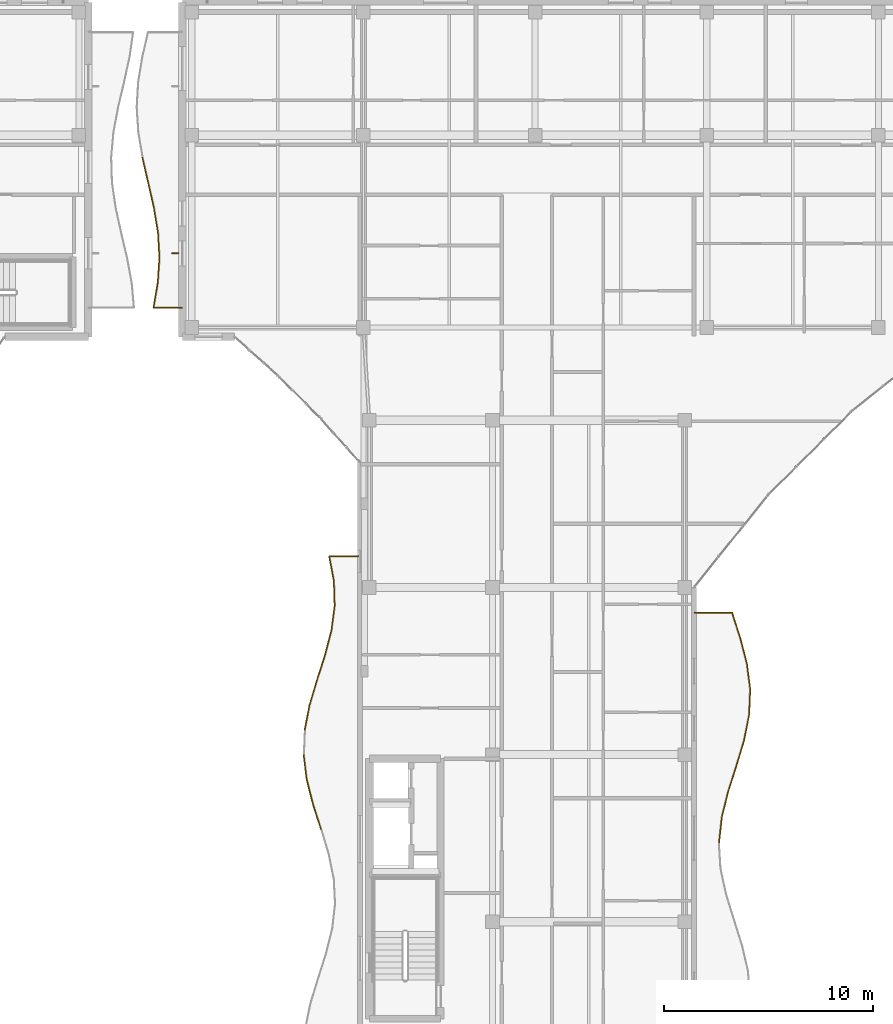
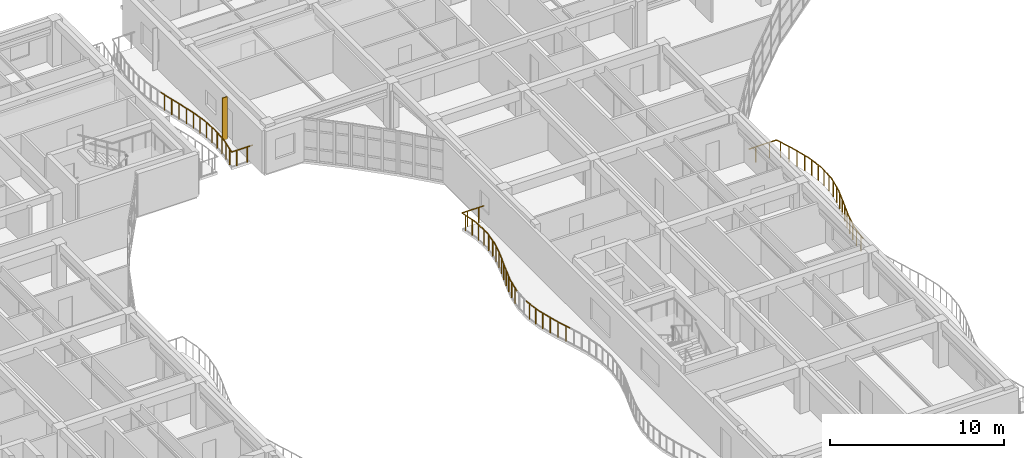
# One storey, part 74 of 89: 28 railings, 1 shading device.
"""IFC4 building model written with IfcOpenShell, lengths in metres."""

from ifc_helpers import new_model, si_unit, direction, frame, origin, origin_2d, place, context, subcontext, project, spatial, rectangle, circle, extrude, material, layer, layer_set, type_object, element, save


model = new_model("IFC4")

# Units and contexts
model_context = context("Model", 3, precision=1e-05, world=origin(), true_north=direction((0.0, 1.0)))
body_context = subcontext(model_context, "Body", "Model", "MODEL_VIEW")
ifc_project = project(units=[si_unit("LENGTHUNIT", "METRE"), si_unit("AREAUNIT", "SQUARE_METRE"), si_unit("VOLUMEUNIT", "CUBIC_METRE"), si_unit("PLANEANGLEUNIT", "RADIAN"), si_unit("MASSUNIT", "GRAM", prefix="KILO")], contexts=[model_context])

# Site, building, storey
site_placement = place(None, origin())
site = spatial("IfcSite", under=ifc_project, at=site_placement, CompositionType="ELEMENT")
building_placement = place(site_placement, origin())
building = spatial("IfcBuilding", under=site, at=building_placement, Name="Keldmere Railside Commons", CompositionType="ELEMENT")
storey_placement = place(building_placement, frame((0.0, 0.0, 7.360107421875)))
storey = spatial("IfcBuildingStorey", under=building, at=storey_placement, Name="L02", CompositionType="ELEMENT", Elevation=7.360107421875)

# Railings
ifc_material = material(Name="Steel F-24 (S235)", Category="steel")
railing_type = type_object("IfcRailingType", Name="Balcony & Terrace Steel Balustrade 1100", PredefinedType="BALUSTRADE", material=ifc_material)
railing_1_placement = place(storey_placement, frame((65.201904296875, 75.77490234375, 0.0)))
element("IfcRailing", 1, at=railing_1_placement, inside=storey, type_object=railing_type, Name="GR-1 GRD-L02-0970", PredefinedType="BALUSTRADE", context=body_context, shape_type="SweptSolid", body=[
    extrude(circle(Radius=0.02392578125, at=origin_2d()), frame((0.0, 0.0, 1.076171875), z_axis=(0.106994852579, 0.994259574518, 0.0), x_axis=(-0.994259574518, 0.106994852579, 0.0)), (0.0, 0.0, 1.0), 1.232177734375),
    extrude(circle(Radius=0.02099609375, at=origin_2d()), frame((0.032958984375, 0.30615234375, 0.0)), (0.0, 0.0, 1.0), 1.048095703125),
    extrude(circle(Radius=0.02099609375, at=origin_2d()), frame((0.098876953125, 0.9189453125, 0.0)), (0.0, 0.0, 1.0), 1.048095703125),
])
railing_2_placement = place(storey_placement, frame((65.333740234375, 77.0, 0.0)))
element("IfcRailing", 2, at=railing_2_placement, inside=storey, type_object=railing_type, Name="GR-1 GRD-L02-0971", PredefinedType="BALUSTRADE", context=body_context, shape_type="SweptSolid", body=[
    extrude(circle(Radius=0.02392578125, at=origin_2d()), frame((0.0, 0.0, 1.076171875), z_axis=(0.240623636794, 0.970618496329, 0.0), x_axis=(-0.970618496329, 0.240623636794, 0.0)), (0.0, 0.0, 1.0), 1.26220703125),
    extrude(circle(Radius=0.02099609375, at=origin_2d()), frame((0.075927734375, 0.30615234375, 0.0)), (0.0, 0.0, 1.0), 1.048095703125),
    extrude(circle(Radius=0.02099609375, at=origin_2d()), frame((0.227783203125, 0.9189453125, 0.0)), (0.0, 0.0, 1.0), 1.048095703125),
])
railing_3_placement = place(storey_placement, frame((65.637451171875, 78.22509765625, 0.0)))
element("IfcRailing", 3, at=railing_3_placement, inside=storey, type_object=railing_type, Name="GR-1 GRD-L02-0972", PredefinedType="BALUSTRADE", context=body_context, shape_type="SweptSolid", body=[
    extrude(circle(Radius=0.02392578125, at=origin_2d()), frame((0.0, 0.0, 1.076171875), z_axis=(0.304010840073, 0.952668572547, 0.0), x_axis=(-0.952668572547, 0.304010840073, 0.0)), (0.0, 0.0, 1.0), 1.28564453125),
    extrude(circle(Radius=0.02099609375, at=origin_2d()), frame((0.09765625, 0.30615234375, 0.0)), (0.0, 0.0, 1.0), 1.048095703125),
    extrude(circle(Radius=0.02099609375, at=origin_2d()), frame((0.293212890625, 0.918701171875, 0.0)), (0.0, 0.0, 1.0), 1.048095703125),
])
railing_4_placement = place(storey_placement, frame((66.0283203125, 79.449951171875, 0.0)))
element("IfcRailing", 4, at=railing_4_placement, inside=storey, type_object=railing_type, Name="GR-1 GRD-L02-0973", PredefinedType="BALUSTRADE", context=body_context, shape_type="SweptSolid", body=[
    extrude(circle(Radius=0.02392578125, at=origin_2d()), frame((0.0, 0.0, 1.076171875), z_axis=(0.28850303307, 0.957478981445, 0.0), x_axis=(-0.957478981445, 0.28850303307, 0.0)), (0.0, 0.0, 1.0), 1.279541015625),
    extrude(circle(Radius=0.02099609375, at=origin_2d()), frame((0.09228515625, 0.30615234375, 0.0)), (0.0, 0.0, 1.0), 1.048095703125),
    extrude(circle(Radius=0.02099609375, at=origin_2d()), frame((0.27685546875, 0.9189453125, 0.0)), (0.0, 0.0, 1.0), 1.048095703125),
])
railing_5_placement = place(storey_placement, frame((66.3974609375, 80.675048828125, 0.0)))
element("IfcRailing", 5, at=railing_5_placement, inside=storey, type_object=railing_type, Name="GR-1 GRD-L02-0974", PredefinedType="BALUSTRADE", context=body_context, shape_type="SweptSolid", body=[
    extrude(circle(Radius=0.02392578125, at=origin_2d()), frame((0.0, 0.0, 1.076171875), z_axis=(0.195477033956, 0.980708279355, 0.0), x_axis=(-0.980708279355, 0.195477033956, 0.0)), (0.0, 0.0, 1.0), 1.2490234375),
    extrude(circle(Radius=0.02099609375, at=origin_2d()), frame((0.06103515625, 0.30615234375, 0.0)), (0.0, 0.0, 1.0), 1.048095703125),
    extrude(circle(Radius=0.02099609375, at=origin_2d()), frame((0.18310546875, 0.918701171875, 0.0)), (0.0, 0.0, 1.0), 1.048095703125),
])
railing_6_placement = place(storey_placement, frame((66.6416015625, 81.89990234375, 0.0)))
element("IfcRailing", 6, at=railing_6_placement, inside=storey, type_object=railing_type, Name="GR-1 GRD-L02-0975", PredefinedType="BALUSTRADE", context=body_context, shape_type="SweptSolid", body=[
    extrude(circle(Radius=0.02392578125, at=origin_2d()), frame((0.0, 0.0, 1.076171875), z_axis=(0.041812743646, 0.999125464829, 0.0), x_axis=(-0.999125464829, 0.041812743646, 0.0)), (0.0, 0.0, 1.0), 1.22607421875),
    extrude(circle(Radius=0.02099609375, at=origin_2d()), frame((0.0126953125, 0.30615234375, 0.0)), (0.0, 0.0, 1.0), 1.048095703125),
    extrude(circle(Radius=0.02099609375, at=origin_2d()), frame((0.03857421875, 0.9189453125, 0.0)), (0.0, 0.0, 1.0), 1.048095703125),
])
railing_7_placement = place(storey_placement, frame((66.69287109375, 83.125, 0.0)))
element("IfcRailing", 7, at=railing_7_placement, inside=storey, type_object=railing_type, Name="GR-1 GRD-L02-0976", PredefinedType="BALUSTRADE", context=body_context, shape_type="SweptSolid", body=[
    extrude(circle(Radius=0.02392578125, at=origin_2d()), frame((0.0, 0.0, 1.076171875), z_axis=(-0.126321482403, 0.991989356336, 0.0), x_axis=(-0.991989356336, -0.126321482403, 0.0)), (0.0, 0.0, 1.0), 1.235107421875),
    extrude(circle(Radius=0.02099609375, at=origin_2d()), frame((-0.0390625, 0.30615234375, 0.0)), (0.0, 0.0, 1.0), 1.048095703125),
    extrude(circle(Radius=0.02099609375, at=origin_2d()), frame((-0.116943359375, 0.9189453125, 0.0)), (0.0, 0.0, 1.0), 1.048095703125),
])
railing_8_placement = place(storey_placement, frame((66.536865234375, 84.35009765625, 0.0)))
element("IfcRailing", 8, at=railing_8_placement, inside=storey, type_object=railing_type, Name="GR-1 GRD-L02-0977", PredefinedType="BALUSTRADE", context=body_context, shape_type="SweptSolid", body=[
    extrude(circle(Radius=0.02392578125, at=origin_2d()), frame((0.0, 0.0, 1.076171875), z_axis=(-0.252461152782, 0.967607030946, 0.0), x_axis=(-0.967607030946, -0.252461152782, 0.0)), (0.0, 0.0, 1.0), 1.265869140625),
    extrude(circle(Radius=0.02099609375, at=origin_2d()), frame((-0.079833984375, 0.30615234375, 0.0)), (0.0, 0.0, 1.0), 1.048095703125),
    extrude(circle(Radius=0.02099609375, at=origin_2d()), frame((-0.23974609375, 0.918701171875, 0.0)), (0.0, 0.0, 1.0), 1.048095703125),
])
railing_9_placement = place(storey_placement, frame((66.21728515625, 85.574951171875, 0.0)))
element("IfcRailing", 9, at=railing_9_placement, inside=storey, type_object=railing_type, Name="GR-1 GRD-L02-0978", PredefinedType="BALUSTRADE", context=body_context, shape_type="SweptSolid", body=[
    extrude(circle(Radius=0.02392578125, at=origin_2d()), frame((0.0, 0.0, 1.076171875), z_axis=(-0.306365312308, 0.951914016818, 0.0), x_axis=(-0.951914016818, -0.306365312308, 0.0)), (0.0, 0.0, 1.0), 1.286865234375),
    extrude(circle(Radius=0.02099609375, at=origin_2d()), frame((-0.0986328125, 0.30615234375, 0.0)), (0.0, 0.0, 1.0), 1.048095703125),
    extrude(circle(Radius=0.02099609375, at=origin_2d()), frame((-0.295654296875, 0.9189453125, 0.0)), (0.0, 0.0, 1.0), 1.048095703125),
])
railing_10_placement = place(storey_placement, frame((65.822998046875, 86.800048828125, 0.0)))
element("IfcRailing", 10, at=railing_10_placement, inside=storey, type_object=railing_type, Name="GR-1 GRD-L02-0979", PredefinedType="BALUSTRADE", context=body_context, shape_type="SweptSolid", body=[
    extrude(circle(Radius=0.02392578125, at=origin_2d()), frame((0.0, 0.0, 1.076171875), z_axis=(-1.0, 0.0, 0.0), x_axis=(0.0, -1.0, 0.0)), (0.0, 0.0, 1.0), 1.822998046875),
    extrude(circle(Radius=0.02099609375, at=origin_2d()), frame((-0.455810546875, 0.0, 0.0)), (0.0, 0.0, 1.0), 1.048095703125),
    extrude(circle(Radius=0.02099609375, at=origin_2d()), frame((-1.3671875, 0.0, 0.0)), (0.0, 0.0, 1.0), 1.048095703125),
])
railing_11_placement = place(storey_placement, frame((46.13720703125, 76.422119140625, 0.0)))
element("IfcRailing", 11, at=railing_11_placement, inside=storey, type_object=railing_type, Name="GR-1 GRD-L02-0997", PredefinedType="BALUSTRADE", context=body_context, shape_type="SweptSolid", body=[
    extrude(circle(Radius=0.02392578125, at=origin_2d()), frame((0.0, 0.0, 1.076171875), z_axis=(-0.305059532123, 0.952333282974, 0.0), x_axis=(-0.952333282974, -0.305059532123, 0.0)), (0.0, 0.0, 1.0), 1.24853515625),
    extrude(circle(Radius=0.02099609375, at=origin_2d()), frame((-0.09521484375, 0.29736328125, 0.0)), (0.0, 0.0, 1.0), 1.048095703125),
    extrude(circle(Radius=0.02099609375, at=origin_2d()), frame((-0.28564453125, 0.8916015625, 0.0)), (0.0, 0.0, 1.0), 1.048095703125),
])
railing_12_placement = place(storey_placement, frame((45.75634765625, 77.611083984375, 0.0)))
element("IfcRailing", 12, at=railing_12_placement, inside=storey, type_object=railing_type, Name="GR-1 GRD-L02-0998", PredefinedType="BALUSTRADE", context=body_context, shape_type="SweptSolid", body=[
    extrude(circle(Radius=0.02392578125, at=origin_2d()), frame((0.0, 0.0, 1.076171875), z_axis=(-0.247307735969, 0.96893698646, 0.0), x_axis=(-0.96893698646, -0.247307735969, 0.0)), (0.0, 0.0, 1.0), 1.22705078125),
    extrude(circle(Radius=0.02099609375, at=origin_2d()), frame((-0.075927734375, 0.29736328125, 0.0)), (0.0, 0.0, 1.0), 1.048095703125),
    extrude(circle(Radius=0.02099609375, at=origin_2d()), frame((-0.2275390625, 0.8916015625, 0.0)), (0.0, 0.0, 1.0), 1.048095703125),
])
railing_13_placement = place(storey_placement, frame((45.452880859375, 78.800048828125, 0.0)))
element("IfcRailing", 13, at=railing_13_placement, inside=storey, type_object=railing_type, Name="GR-1 GRD-L02-0999", PredefinedType="BALUSTRADE", context=body_context, shape_type="SweptSolid", body=[
    extrude(circle(Radius=0.02392578125, at=origin_2d()), frame((0.0, 0.0, 1.076171875), z_axis=(-0.122278743077, 0.992495797972, 0.0), x_axis=(-0.992495797972, -0.122278743077, 0.0)), (0.0, 0.0, 1.0), 1.197998046875),
    extrude(circle(Radius=0.02099609375, at=origin_2d()), frame((-0.03662109375, 0.29736328125, 0.0)), (0.0, 0.0, 1.0), 1.048095703125),
    extrude(circle(Radius=0.02099609375, at=origin_2d()), frame((-0.10986328125, 0.8916015625, 0.0)), (0.0, 0.0, 1.0), 1.048095703125),
])
railing_14_placement = place(storey_placement, frame((45.355712890625, 81.177734375, 0.0)))
element("IfcRailing", 14, at=railing_14_placement, inside=storey, type_object=railing_type, Name="GR-1 GRD-L02-1001", PredefinedType="BALUSTRADE", context=body_context, shape_type="SweptSolid", body=[
    extrude(circle(Radius=0.02392578125, at=origin_2d()), frame((0.0, 0.0, 1.076171875), z_axis=(0.191463005957, 0.98149983054, 0.0), x_axis=(-0.98149983054, 0.191463005957, 0.0)), (0.0, 0.0, 1.0), 1.21142578125),
    extrude(circle(Radius=0.02099609375, at=origin_2d()), frame((0.05810546875, 0.29736328125, 0.0)), (0.0, 0.0, 1.0), 1.048095703125),
    extrude(circle(Radius=0.02099609375, at=origin_2d()), frame((0.173828125, 0.8916015625, 0.0)), (0.0, 0.0, 1.0), 1.048095703125),
])
railing_15_placement = place(storey_placement, frame((45.587646484375, 82.36669921875, 0.0)))
element("IfcRailing", 15, at=railing_15_placement, inside=storey, type_object=railing_type, Name="GR-1 GRD-L02-1002", PredefinedType="BALUSTRADE", context=body_context, shape_type="SweptSolid", body=[
    extrude(circle(Radius=0.02392578125, at=origin_2d()), frame((0.0, 0.0, 1.076171875), z_axis=(0.285180414053, 0.958473855376, 0.0), x_axis=(-0.958473855376, 0.285180414053, 0.0)), (0.0, 0.0, 1.0), 1.240478515625),
    extrude(circle(Radius=0.02099609375, at=origin_2d()), frame((0.08837890625, 0.29736328125, 0.0)), (0.0, 0.0, 1.0), 1.048095703125),
    extrude(circle(Radius=0.02099609375, at=origin_2d()), frame((0.265380859375, 0.8916015625, 0.0)), (0.0, 0.0, 1.0), 1.048095703125),
])
railing_16_placement = place(storey_placement, frame((45.94140625, 83.5556640625, 0.0)))
element("IfcRailing", 16, at=railing_16_placement, inside=storey, type_object=railing_type, Name="GR-1 GRD-L02-1003", PredefinedType="BALUSTRADE", context=body_context, shape_type="SweptSolid", body=[
    extrude(circle(Radius=0.02392578125, at=origin_2d()), frame((0.0, 0.0, 1.076171875), z_axis=(0.306002851145, 0.95203059567, 0.0), x_axis=(-0.95203059567, 0.306002851145, 0.0)), (0.0, 0.0, 1.0), 1.24853515625),
    extrude(circle(Radius=0.02099609375, at=origin_2d()), frame((0.095458984375, 0.297119140625, 0.0)), (0.0, 0.0, 1.0), 1.048095703125),
    extrude(circle(Radius=0.02099609375, at=origin_2d()), frame((0.28662109375, 0.8916015625, 0.0)), (0.0, 0.0, 1.0), 1.048095703125),
])
railing_17_placement = place(storey_placement, frame((46.323486328125, 84.744384765625, 0.0)))
element("IfcRailing", 17, at=railing_17_placement, inside=storey, type_object=railing_type, Name="GR-1 GRD-L02-1004", PredefinedType="BALUSTRADE", context=body_context, shape_type="SweptSolid", body=[
    extrude(circle(Radius=0.02392578125, at=origin_2d()), frame((0.0, 0.0, 1.076171875), z_axis=(0.252527039798, 0.967589837778, 0.0), x_axis=(-0.967589837778, 0.252527039798, 0.0)), (0.0, 0.0, 1.0), 1.228759765625),
    extrude(circle(Radius=0.02099609375, at=origin_2d()), frame((0.07763671875, 0.29736328125, 0.0)), (0.0, 0.0, 1.0), 1.048095703125),
    extrude(circle(Radius=0.02099609375, at=origin_2d()), frame((0.232666015625, 0.8916015625, 0.0)), (0.0, 0.0, 1.0), 1.048095703125),
])
railing_18_placement = place(storey_placement, frame((46.6337890625, 85.933349609375, 0.0)))
element("IfcRailing", 18, at=railing_18_placement, inside=storey, type_object=railing_type, Name="GR-1 GRD-L02-1005", PredefinedType="BALUSTRADE", context=body_context, shape_type="SweptSolid", body=[
    extrude(circle(Radius=0.02392578125, at=origin_2d()), frame((0.0, 0.0, 1.076171875), z_axis=(0.130496642612, 0.991448751205, 0.0), x_axis=(-0.991448751205, 0.130496642612, 0.0)), (0.0, 0.0, 1.0), 1.19921875),
    extrude(circle(Radius=0.02099609375, at=origin_2d()), frame((0.0390625, 0.29736328125, 0.0)), (0.0, 0.0, 1.0), 1.048095703125),
    extrude(circle(Radius=0.02099609375, at=origin_2d()), frame((0.117431640625, 0.8916015625, 0.0)), (0.0, 0.0, 1.0), 1.048095703125),
])
railing_19_placement = place(storey_placement, frame((46.790283203125, 87.122314453125, 0.0)))
element("IfcRailing", 19, at=railing_19_placement, inside=storey, type_object=railing_type, Name="GR-1 GRD-L02-1006", PredefinedType="BALUSTRADE", context=body_context, shape_type="SweptSolid", body=[
    extrude(circle(Radius=0.02392578125, at=origin_2d()), frame((0.0, 0.0, 1.076171875), z_axis=(-0.032023001154, 0.999487132182, 0.0), x_axis=(-0.999487132182, -0.032023001154, 0.0)), (0.0, 0.0, 1.0), 1.189208984375),
    extrude(circle(Radius=0.02099609375, at=origin_2d()), frame((-0.009521484375, 0.297119140625, 0.0)), (0.0, 0.0, 1.0), 1.048095703125),
    extrude(circle(Radius=0.02099609375, at=origin_2d()), frame((-0.028564453125, 0.8916015625, 0.0)), (0.0, 0.0, 1.0), 1.048095703125),
])
railing_20_placement = place(storey_placement, frame((46.752197265625, 88.31103515625, 0.0)))
element("IfcRailing", 20, at=railing_20_placement, inside=storey, type_object=railing_type, Name="GR-1 GRD-L02-1007", PredefinedType="BALUSTRADE", context=body_context, shape_type="SweptSolid", body=[
    extrude(circle(Radius=0.02392578125, at=origin_2d()), frame((0.0, 0.0, 1.076171875), z_axis=(-0.184264163945, 0.982876756204, 0.0), x_axis=(-0.982876756204, -0.184264163945, 0.0)), (0.0, 0.0, 1.0), 1.209716796875),
    extrude(circle(Radius=0.02099609375, at=origin_2d()), frame((-0.0556640625, 0.29736328125, 0.0)), (0.0, 0.0, 1.0), 1.048095703125),
    extrude(circle(Radius=0.02099609375, at=origin_2d()), frame((-0.167236328125, 0.8916015625, 0.0)), (0.0, 0.0, 1.0), 1.048095703125),
])
railing_21_placement = place(storey_placement, frame((46.529296875, 89.5, 0.0)))
element("IfcRailing", 21, at=railing_21_placement, inside=storey, type_object=railing_type, Name="GR-1 GRD-L02-1008", PredefinedType="BALUSTRADE", context=body_context, shape_type="SweptSolid", body=[
    extrude(circle(Radius=0.02392578125, at=origin_2d()), frame((0.0, 0.0, 1.076171875), z_axis=(1.0, 0.0, 0.0), x_axis=(0.0, 1.0, 0.0)), (0.0, 0.0, 1.0), 1.470703125),
    extrude(circle(Radius=0.02099609375, at=origin_2d()), frame((0.36767578125, 0.0, 0.0)), (0.0, 0.0, 1.0), 1.048095703125),
    extrude(circle(Radius=0.02099609375, at=origin_2d()), frame((1.10302734375, 0.0, 0.0)), (0.0, 0.0, 1.0), 1.048095703125),
])
railing_22_placement = place(storey_placement, frame((39.5, 101.39990234375, 0.0)))
element("IfcRailing", 22, at=railing_22_placement, inside=storey, type_object=railing_type, Name="GR-1 GRD-L02-1022", PredefinedType="BALUSTRADE", context=body_context, shape_type="SweptSolid", body=[
    extrude(circle(Radius=0.02392578125, at=origin_2d()), frame((0.0, 0.0, 1.076171875), z_axis=(-1.0, 0.0, 0.0), x_axis=(0.0, -1.0, 0.0)), (0.0, 0.0, 1.0), 1.38232421875),
    extrude(circle(Radius=0.02099609375, at=origin_2d()), frame((-0.345703125, 0.0, 0.0)), (0.0, 0.0, 1.0), 1.048095703125),
    extrude(circle(Radius=0.02099609375, at=origin_2d()), frame((-1.03662109375, 0.0, 0.0)), (0.0, 0.0, 1.0), 1.048095703125),
])
railing_23_placement = place(storey_placement, frame((38.11767578125, 101.39990234375, 0.0)))
element("IfcRailing", 23, at=railing_23_placement, inside=storey, type_object=railing_type, Name="GR-1 GRD-L02-1023", PredefinedType="BALUSTRADE", context=body_context, shape_type="SweptSolid", body=[
    extrude(circle(Radius=0.02392578125, at=origin_2d()), frame((0.0, 0.0, 1.076171875), z_axis=(0.167844959327, 0.985813405077, 0.0), x_axis=(-0.985813405077, 0.167844959327, 0.0)), (0.0, 0.0, 1.0), 1.217529296875),
    extrude(circle(Radius=0.02099609375, at=origin_2d()), frame((0.051025390625, 0.300048828125, 0.0)), (0.0, 0.0, 1.0), 1.048095703125),
    extrude(circle(Radius=0.02099609375, at=origin_2d()), frame((0.1533203125, 0.900146484375, 0.0)), (0.0, 0.0, 1.0), 1.048095703125),
])
railing_24_placement = place(storey_placement, frame((38.322021484375, 102.60009765625, 0.0)))
element("IfcRailing", 24, at=railing_24_placement, inside=storey, type_object=railing_type, Name="GR-1 GRD-L02-1024", PredefinedType="BALUSTRADE", context=body_context, shape_type="SweptSolid", body=[
    extrude(circle(Radius=0.02392578125, at=origin_2d()), frame((0.0, 0.0, 1.076171875), z_axis=(0.064767086508, 0.99790040811, 0.0), x_axis=(-0.99790040811, 0.064767086508, 0.0)), (0.0, 0.0, 1.0), 1.202392578125),
    extrude(circle(Radius=0.02099609375, at=origin_2d()), frame((0.01953125, 0.300048828125, 0.0)), (0.0, 0.0, 1.0), 1.048095703125),
    extrude(circle(Radius=0.02099609375, at=origin_2d()), frame((0.058349609375, 0.89990234375, 0.0)), (0.0, 0.0, 1.0), 1.048095703125),
])
railing_25_placement = place(storey_placement, frame((38.39990234375, 103.800048828125, 0.0)))
element("IfcRailing", 25, at=railing_25_placement, inside=storey, type_object=railing_type, Name="GR-1 GRD-L02-1025", PredefinedType="BALUSTRADE", context=body_context, shape_type="SweptSolid", body=[
    extrude(circle(Radius=0.02392578125, at=origin_2d()), frame((0.0, 0.0, 1.076171875), z_axis=(-0.057888518877, 0.998323053617, 0.0), x_axis=(-0.998323053617, -0.057888518877, 0.0)), (0.0, 0.0, 1.0), 1.201904296875),
    extrude(circle(Radius=0.02099609375, at=origin_2d()), frame((-0.017333984375, 0.300048828125, 0.0)), (0.0, 0.0, 1.0), 1.048095703125),
    extrude(circle(Radius=0.02099609375, at=origin_2d()), frame((-0.05224609375, 0.89990234375, 0.0)), (0.0, 0.0, 1.0), 1.048095703125),
])
railing_26_placement = place(storey_placement, frame((38.330322265625, 105.0, 0.0)))
element("IfcRailing", 26, at=railing_26_placement, inside=storey, type_object=railing_type, Name="GR-1 GRD-L02-1026", PredefinedType="BALUSTRADE", context=body_context, shape_type="SweptSolid", body=[
    extrude(circle(Radius=0.02392578125, at=origin_2d()), frame((0.0, 0.0, 1.076171875), z_axis=(-0.162999082621, 0.986626220544, 0.0), x_axis=(-0.986626220544, -0.162999082621, 0.0)), (0.0, 0.0, 1.0), 1.21630859375),
    extrude(circle(Radius=0.02099609375, at=origin_2d()), frame((-0.049560546875, 0.300048828125, 0.0)), (0.0, 0.0, 1.0), 1.048095703125),
    extrude(circle(Radius=0.02099609375, at=origin_2d()), frame((-0.148681640625, 0.89990234375, 0.0)), (0.0, 0.0, 1.0), 1.048095703125),
])
railing_27_placement = place(storey_placement, frame((38.132080078125, 106.199951171875, 0.0)))
element("IfcRailing", 27, at=railing_27_placement, inside=storey, type_object=railing_type, Name="GR-1 GRD-L02-1027", PredefinedType="BALUSTRADE", context=body_context, shape_type="SweptSolid", body=[
    extrude(circle(Radius=0.02392578125, at=origin_2d()), frame((0.0, 0.0, 1.076171875), z_axis=(-0.222366952793, 0.974963044584, 0.0), x_axis=(-0.974963044584, -0.222366952793, 0.0)), (0.0, 0.0, 1.0), 1.230712890625),
    extrude(circle(Radius=0.02099609375, at=origin_2d()), frame((-0.068359375, 0.300048828125, 0.0)), (0.0, 0.0, 1.0), 1.048095703125),
    extrude(circle(Radius=0.02099609375, at=origin_2d()), frame((-0.205322265625, 0.89990234375, 0.0)), (0.0, 0.0, 1.0), 1.048095703125),
])
railing_28_placement = place(storey_placement, frame((37.8583984375, 107.39990234375, 0.0)))
element("IfcRailing", 28, at=railing_28_placement, inside=storey, type_object=railing_type, Name="GR-1 GRD-L02-1028", PredefinedType="BALUSTRADE", context=body_context, shape_type="SweptSolid", body=[
    extrude(circle(Radius=0.02392578125, at=origin_2d()), frame((0.0, 0.0, 1.076171875), z_axis=(-0.224207941687, 0.974541327438, 0.0), x_axis=(-0.974541327438, -0.224207941687, 0.0)), (0.0, 0.0, 1.0), 1.2314453125),
    extrude(circle(Radius=0.02099609375, at=origin_2d()), frame((-0.069091796875, 0.300048828125, 0.0)), (0.0, 0.0, 1.0), 1.048095703125),
    extrude(circle(Radius=0.02099609375, at=origin_2d()), frame((-0.20703125, 0.900146484375, 0.0)), (0.0, 0.0, 1.0), 1.048095703125),
])

# Shading device
ifc_layer = layer(ifc_material, 0.06005859375, Name="East-West Vertical Brise-Soleil Fin 320x60")
ifc_layer_set = layer_set([ifc_layer], Name="Steel F-24 (S235)")
shading_device_type = type_object("IfcShadingDeviceType", Name="East-West Vertical Brise-Soleil Fin 320x60", PredefinedType="USERDEFINED", material=ifc_layer_set)
shading_device_placement = place(storey_placement, frame((39.162109375, 104.0, 0.0), z_axis=(0.0, 0.0, 1.0), x_axis=(1.0, 0.0, 0.0)))
element("IfcShadingDevice", 29, at=shading_device_placement, inside=storey, type_object=shading_device_type, Name="FIN-1 Solar Fin 009", ObjectType="FIN", PredefinedType="USERDEFINED", context=body_context, shape_type="SweptSolid", body=[
    extrude(rectangle(XDim=0.320068359375, YDim=0.06005859375, at=origin_2d()), origin(), (0.0, 0.0, 1.0), 2.97998046875),
])

save(model, "model.ifc")
